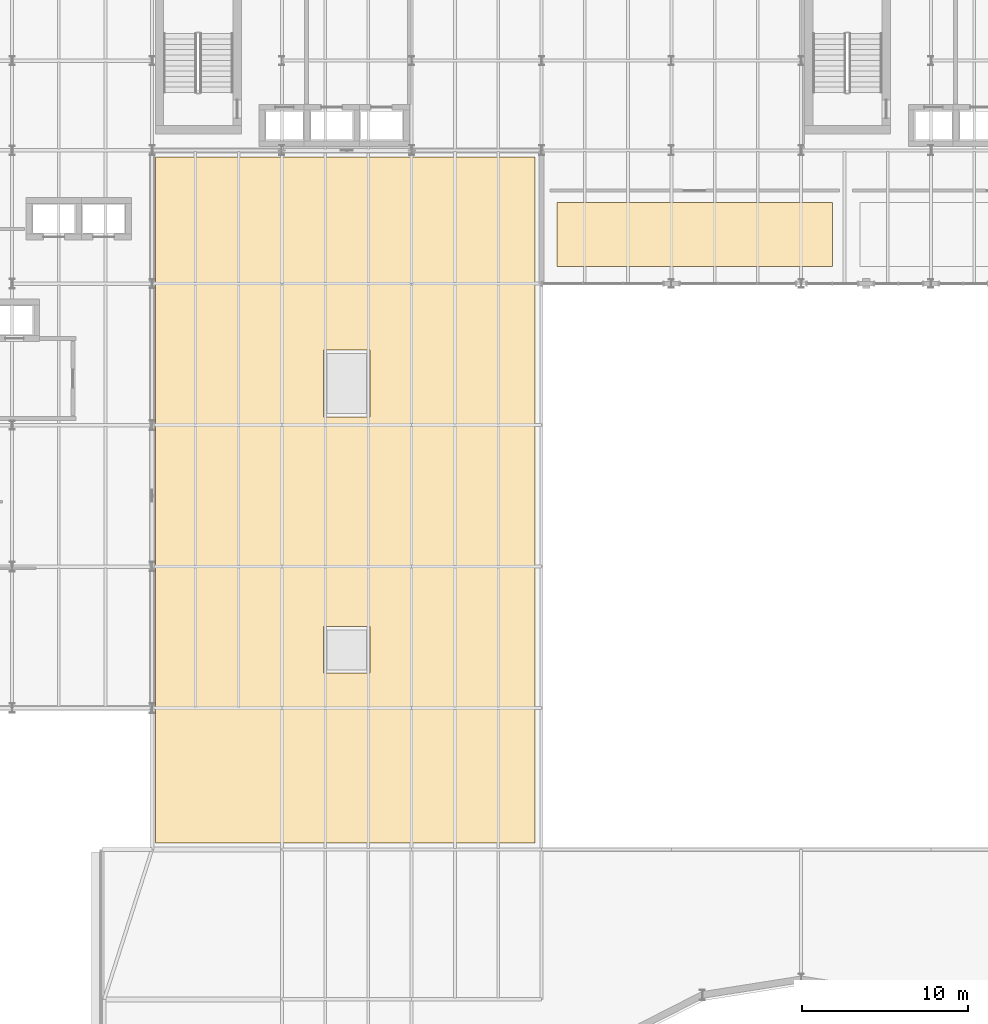
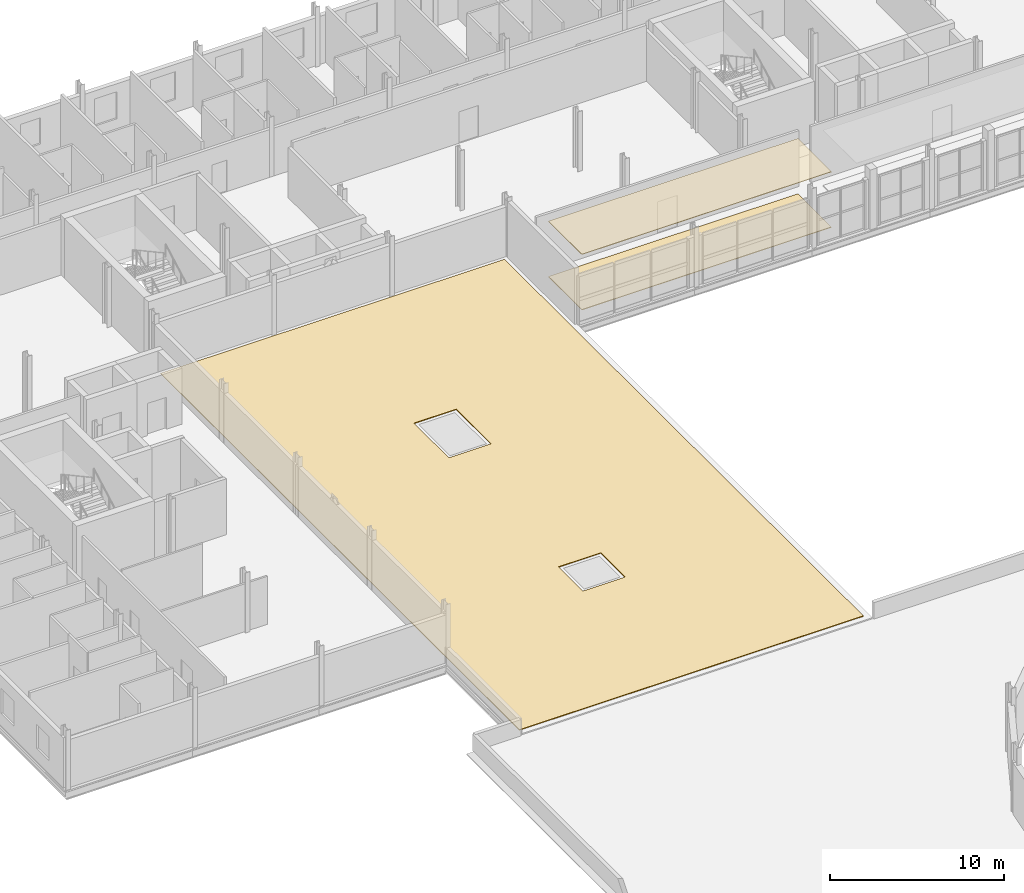
# One storey, part 54 of 58: 3 coverings.
"""IFC4 building model written with IfcOpenShell, lengths in metres."""

from ifc_helpers import new_model, si_unit, direction, frame, origin, place, context, subcontext, project, spatial, polyline, outline, extrude, material, layer, layer_set, type_object, element, save


model = new_model("IFC4")

# Units and contexts
model_context = context("Model", 3, precision=1e-05, world=origin(), true_north=direction((0.0, 1.0)))
body_context = subcontext(model_context, "Body", "Model", "MODEL_VIEW")
ifc_project = project(units=[si_unit("LENGTHUNIT", "METRE"), si_unit("AREAUNIT", "SQUARE_METRE"), si_unit("VOLUMEUNIT", "CUBIC_METRE"), si_unit("PLANEANGLEUNIT", "RADIAN"), si_unit("MASSUNIT", "GRAM", prefix="KILO")], contexts=[model_context])

# Site, building, storey
site_placement = place(None, origin())
site = spatial("IfcSite", under=ifc_project, at=site_placement, CompositionType="ELEMENT")
building_placement = place(site_placement, origin())
building = spatial("IfcBuilding", under=site, at=building_placement, Name="Sefraquen Railside Congress Hotel", CompositionType="ELEMENT")
storey_placement = place(building_placement, frame((0.0, 0.0, 16.199951171875)))
storey = spatial("IfcBuildingStorey", under=building, at=storey_placement, Name="L03", CompositionType="ELEMENT", Elevation=16.199951171875)

# Coverings
ifc_material_1 = material(Name="Acoustic mineral and carved plaster ceiling", Category="gypsum")
ifc_layer_1 = layer(ifc_material_1, 0.0400390625)
ifc_layer_set_1 = layer_set([ifc_layer_1], Name="Acoustic mineral and carved plaster ceiling")
covering_type_1 = type_object("IfcCoveringType", Name="TCV-CEIL-01", PredefinedType="CEILING", material=ifc_layer_set_1)
covering_1_placement = place(storey_placement, frame((0.0, 0.0, 3.880126953125)))
element("IfcCovering", 1, at=covering_1_placement, inside=storey, type_object=covering_type_1, Name="Meeting Room 05 acoustic ceiling finish", PredefinedType="CEILING", context=body_context, shape_type="SweptSolid", body=[
    extrude(outline(polyline([(49.530029296875, 89.030029296875), (66.070068359375, 89.030029296875), (66.070068359375, 92.8701171875), (49.530029296875, 92.8701171875), (49.530029296875, 89.030029296875)])), origin(), (0.0, 0.0, 1.0), 0.0400390625),
])
ifc_material_2 = material(Name="Moroccan zellige ceramic and honed stone flooring", Category="masonry")
ifc_layer_2 = layer(ifc_material_2, 0.0400390625)
ifc_layer_set_2 = layer_set([ifc_layer_2], Name="Moroccan zellige ceramic and honed stone flooring")
covering_type_2 = type_object("IfcCoveringType", Name="TCV-FLR-01", PredefinedType="FLOORING", material=ifc_layer_set_2)
covering_2_placement = place(storey_placement, origin())
element("IfcCovering", 2, at=covering_2_placement, inside=storey, type_object=covering_type_2, Name="Meeting Room 05 architectural floor finish", PredefinedType="FLOORING", context=body_context, shape_type="SweptSolid", body=[
    extrude(outline(polyline([(49.530029296875, 89.030029296875), (66.070068359375, 89.030029296875), (66.070068359375, 92.8701171875), (49.530029296875, 92.8701171875), (49.530029296875, 89.030029296875)])), origin(), (0.0, 0.0, 1.0), 0.0400390625),
])
ifc_material_3 = material(Name="Modified SBS polymer roofing membrane and stone ballast", Category="masonry")
ifc_layer_3 = layer(ifc_material_3, 0.06005859375)
ifc_layer_set_3 = layer_set([ifc_layer_3], Name="Modified SBS polymer roofing membrane and stone ballast")
covering_type_3 = type_object("IfcCoveringType", Name="TCV-ROOF-01", PredefinedType="ROOFING", material=ifc_layer_set_3)
covering_3_placement = place(storey_placement, origin())
element("IfcCovering", 3, at=covering_3_placement, inside=storey, type_object=covering_type_3, Name="West Foyer insulated waterproofing roofing membrane", PredefinedType="ROOFING", context=body_context, shape_type="SweptSolid", body=[
    extrude(outline(polyline([(25.39990234375, 54.39990234375), (48.199951171875, 54.39990234375), (48.199951171875, 95.60009765625), (25.39990234375, 95.60009765625), (25.39990234375, 54.39990234375)]), holes=[polyline([(35.5, 64.60009765625), (38.300048828125, 64.60009765625), (38.300048828125, 67.39990234375), (35.5, 67.39990234375), (35.5, 64.60009765625)]), polyline([(35.5, 80.0), (38.300048828125, 80.0), (38.300048828125, 84.0), (35.5, 84.0), (35.5, 80.0)])]), origin(), (0.0, 0.0, 1.0), 0.050048828125),
])

save(model, "model.ifc")
